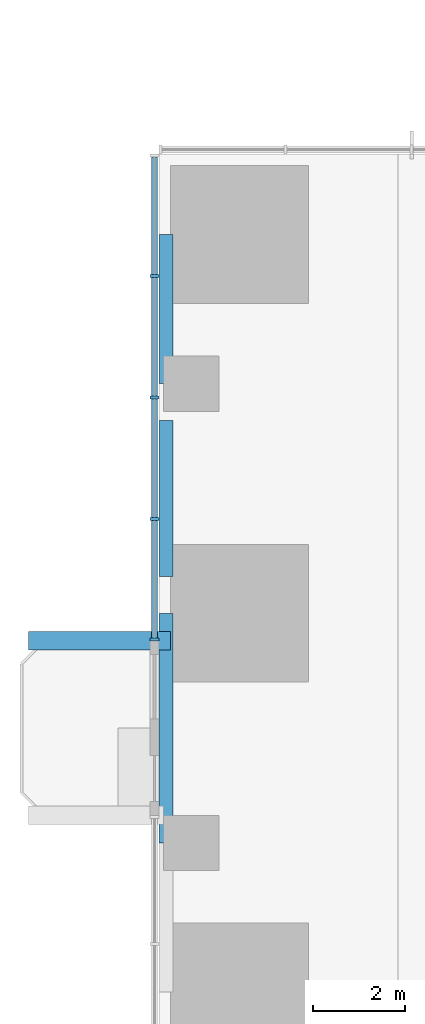
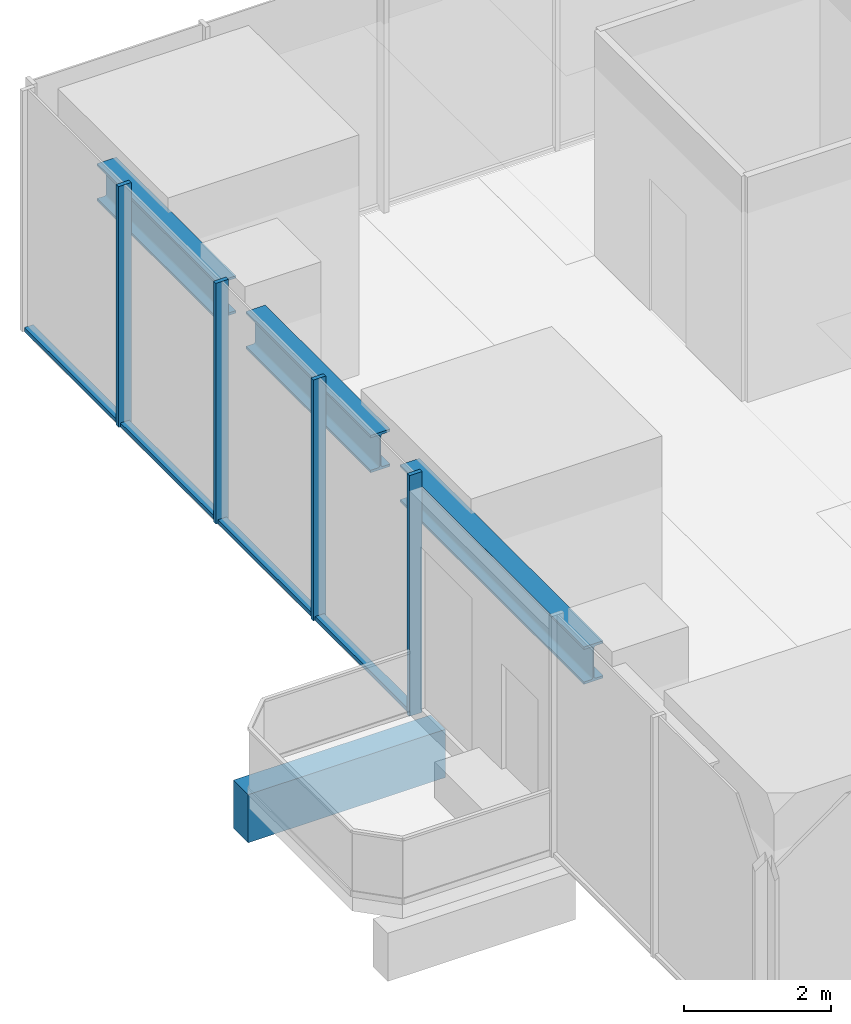
# One storey, part 3 of 13: 8 members, 4 beams, 1 element without a shape of its own.
"""IFC4 building model written with IfcOpenShell, lengths in metres."""

import ifcopenshell
import ifcopenshell.guid

model = None  # the IFC model being written
_history = None  # IfcOwnerHistory: only IFC2X3 demands one
_inside = {}  # id of a spatial element -> (the spatial element, [elements in it])
_under = {}  # id of a project, library or spatial element -> (it, [spatial elements below it])
_declared = {}  # id of a project -> (the project, [libraries it declares])
_typed = {}  # id of a type object -> (the type object, [elements of that type])
_made_of = {}  # id of a material, layer set ... -> (it, [elements and type objects made of it])


def new_model(schema):
    """Start an empty IFC model of exactly this schema.

    Asked for "IFC4X3", IfcOpenShell would pick the latest addendum, in which some entities
    have other attributes; the version numbers below select the first issue.
    IFC2X3 requires an IfcOwnerHistory on every rooted entity: one is made here for all.
    """
    global model, _history
    if schema == "IFC4X3":
        model = ifcopenshell.file(schema_version=(4, 3, 0, 0))
    else:
        model = ifcopenshell.file(schema=schema)
    _inside.clear()
    _under.clear()
    _declared.clear()
    _typed.clear()
    _made_of.clear()
    _history = None
    if model.schema == "IFC2X3":
        org = make("IfcOrganization", Name="unknown")
        user = make(
            "IfcPersonAndOrganization",
            ThePerson=make("IfcPerson", FamilyName="unknown"),
            TheOrganization=org,
        )
        app = make(
            "IfcApplication",
            ApplicationDeveloper=org,
            Version="unknown",
            ApplicationFullName="unknown",
            ApplicationIdentifier="unknown",
        )
        _history = make(
            "IfcOwnerHistory",
            OwningUser=user,
            OwningApplication=app,
            ChangeAction="ADDED",
            CreationDate=0,
        )
    return model


def make(cls, **values):
    """One entity of the class cls with the attributes given. An attribute that is None is left unset."""
    return model.create_entity(
        cls, **{name: value for name, value in values.items() if value is not None}
    )


def rooted(cls, **values):
    """An entity with a GlobalId (a new one), such as an element, a storey or a relation."""
    return make(cls, GlobalId=ifcopenshell.guid.new(), OwnerHistory=_history, **values)


def si_unit(unit_type, name, prefix=None):
    """IfcSIUnit, for example si_unit("LENGTHUNIT", "METRE", prefix="MILLI")."""
    return make("IfcSIUnit", UnitType=unit_type, Prefix=prefix, Name=name)


def assignment(units):
    """IfcUnitAssignment: the units of a project."""
    return None if units is None else make("IfcUnitAssignment", Units=units)


def point(xyz):
    """IfcCartesianPoint."""
    return None if xyz is None else make("IfcCartesianPoint", Coordinates=xyz)


def direction(xyz):
    """IfcDirection."""
    return None if xyz is None else make("IfcDirection", DirectionRatios=xyz)


def frame(location, z_axis=None, x_axis=None):
    """IfcAxis2Placement3D, a coordinate frame: its origin and axes. An axis left out is left unset."""
    return make(
        "IfcAxis2Placement3D",
        Location=point(location),
        Axis=direction(z_axis),
        RefDirection=direction(x_axis),
    )


def frame_2d(location, x_axis=None):
    """IfcAxis2Placement2D, a coordinate frame in the plane: its origin and x axis."""
    return make(
        "IfcAxis2Placement2D", Location=point(location), RefDirection=direction(x_axis)
    )


def origin():
    """The frame at (0, 0, 0) with its axes left unset."""
    return frame((0.0, 0.0, 0.0))


def origin_2d():
    """The frame at (0, 0) in the plane with its x axis left unset."""
    return frame_2d((0.0, 0.0))


def place(relative_to, where):
    """IfcLocalPlacement: puts the frame where relative to a parent placement (None: the world)."""
    return make(
        "IfcLocalPlacement", PlacementRelTo=relative_to, RelativePlacement=where
    )


def context(
    kind, dimensions, precision=None, world=None, true_north=None, identifier=None
):
    """IfcGeometricRepresentationContext, for example the 3D "Model" context."""
    return make(
        "IfcGeometricRepresentationContext",
        ContextIdentifier=identifier,
        ContextType=kind,
        CoordinateSpaceDimension=dimensions,
        Precision=precision,
        WorldCoordinateSystem=world,
        TrueNorth=true_north,
    )


def subcontext(parent, identifier, kind, view, scale=None):
    """IfcGeometricRepresentationSubContext, for example "Body" below "Model"."""
    return make(
        "IfcGeometricRepresentationSubContext",
        ContextIdentifier=identifier,
        ContextType=kind,
        ParentContext=parent,
        TargetScale=scale,
        TargetView=view,
    )


def project(units=None, contexts=None):
    """IfcProject with its units and contexts."""
    return rooted(
        "IfcProject",
        Name="project",
        RepresentationContexts=contexts,
        UnitsInContext=assignment(units),
    )


def spatial(cls, under=None, at=None, **own):
    """A site, building, storey or space (cls), placed at a placement, below another one or the project."""
    s = rooted(cls, ObjectPlacement=at, **own)
    if under is not None:
        _under.setdefault(under.id(), (under, []))[1].append(s)
    return s


def profile(cls, at=None, kind="AREA", **sizes):
    """A parametric profile (cls). Its sizes go by their IFC names, for example OverallWidth=200.0."""
    return make(cls, ProfileType=kind, Position=at, **sizes)


def rectangle(**sizes):
    """IfcRectangleProfileDef."""
    return profile("IfcRectangleProfileDef", **sizes)


def i_section(**sizes):
    """IfcIShapeProfileDef."""
    return profile("IfcIShapeProfileDef", **sizes)


def extrude(swept, where, along, depth):
    """IfcExtrudedAreaSolid: the profile swept, set in the frame where, extruded along a direction by depth."""
    return make(
        "IfcExtrudedAreaSolid",
        SweptArea=swept,
        Position=where,
        ExtrudedDirection=direction(along),
        Depth=depth,
    )


def shape(context_of_items, identifier, shape_type, items):
    """IfcShapeRepresentation: the items that make up one representation, for example the "Body"."""
    return make(
        "IfcShapeRepresentation",
        ContextOfItems=context_of_items,
        RepresentationIdentifier=identifier,
        RepresentationType=shape_type,
        Items=items,
    )


def material(Name=None, Category=None):
    """IfcMaterial."""
    return make("IfcMaterial", Name=Name, Category=Category)


def material_profile(
    of_material, cross_section, Name=None, Category=None, Priority=None
):
    """IfcMaterialProfile: a cross section and its material."""
    return make(
        "IfcMaterialProfile",
        Name=Name,
        Material=of_material,
        Profile=cross_section,
        Priority=Priority,
        Category=Category,
    )


def profile_set(profiles, Name=None, composite=None):
    """IfcMaterialProfileSet."""
    return make(
        "IfcMaterialProfileSet",
        Name=Name,
        MaterialProfiles=profiles,
        CompositeProfile=composite,
    )


def made_of(thing, what):
    """Note that an element or type object is made of a material, layer set ...; save() writes the relation."""
    if what is not None:
        _made_of.setdefault(what.id(), (what, []))[1].append(thing)
    return thing


def type_object(cls, material=None, **own):
    """A type object (cls), such as IfcWallType, which elements share."""
    return made_of(rooted(cls, **own), material)


def element(
    cls,
    number,
    at=None,
    inside=None,
    cuts=None,
    type_object=None,
    material=None,
    context=None,
    identifier="Body",
    shape_type=None,
    held_by="IfcProductDefinitionShape",
    body=None,
    shapes=None,
    **own,
):
    """One element of the class cls, such as IfcWall. Its Tag is "e" and its number.

    at: its placement. inside: the storey or other place that contains it. cuts: it is an
    opening in that element (IfcRelVoidsElement). A single representation is given by context,
    identifier, shape_type and body (its items); several are given by shapes. held_by: the class
    of the entity that holds the representations. save() writes the other relations.
    """
    e = rooted(cls, Tag="e%d" % number, ObjectPlacement=at, **own)
    if body is not None:
        shapes = [shape(context, identifier, shape_type, body)]
    if shapes is not None:
        e.Representation = make(held_by, Representations=shapes)
    if inside is not None:
        _inside.setdefault(inside.id(), (inside, []))[1].append(e)
    if cuts is not None:
        rooted(
            "IfcRelVoidsElement", RelatingBuildingElement=cuts, RelatedOpeningElement=e
        )
    if type_object is not None:
        _typed.setdefault(type_object.id(), (type_object, []))[1].append(e)
    return made_of(e, material)


def aggregate(whole, parts):
    """IfcRelAggregates: a whole, such as a stair, and the parts it consists of."""
    return rooted("IfcRelAggregates", RelatingObject=whole, RelatedObjects=parts)


def save(model, path):
    """Write the relations noted so far, then the file.

    IfcRelAggregates (storeys below a building ...), IfcRelContainedInSpatialStructure (elements
    in a storey), IfcRelDefinesByType, IfcRelAssociatesMaterial and IfcRelDeclares: one each for
    every whole, place, type object, material and project.
    """
    for whole, parts in _under.values():
        aggregate(whole, parts)
    for where, things in _inside.values():
        rooted(
            "IfcRelContainedInSpatialStructure",
            RelatedElements=things,
            RelatingStructure=where,
        )
    for kind, things in _typed.values():
        rooted("IfcRelDefinesByType", RelatedObjects=things, RelatingType=kind)
    for what, things in _made_of.values():
        rooted("IfcRelAssociatesMaterial", RelatedObjects=things, RelatingMaterial=what)
    for by, libraries in _declared.values():
        rooted("IfcRelDeclares", RelatingContext=by, RelatedDefinitions=libraries)
    model.write(path)


model = new_model("IFC4")

# Units and contexts
model_context = context("Model", 3, precision=1e-05, world=origin(), true_north=direction((0.0, 1.0)))
body_context = subcontext(model_context, "Body", "Model", "MODEL_VIEW")
ifc_project = project(units=[si_unit("LENGTHUNIT", "METRE"), si_unit("AREAUNIT", "SQUARE_METRE"), si_unit("VOLUMEUNIT", "CUBIC_METRE"), si_unit("PLANEANGLEUNIT", "RADIAN"), si_unit("MASSUNIT", "GRAM", prefix="KILO")], contexts=[model_context])

# Site, building, storey
site_placement = place(None, origin())
site = spatial("IfcSite", under=ifc_project, at=site_placement, CompositionType="ELEMENT")
building_placement = place(site_placement, origin())
building = spatial("IfcBuilding", under=site, at=building_placement, Name="Svetlomir Tower", CompositionType="ELEMENT")
storey_placement = place(building_placement, frame((0.0, 0.0, 120.5)))
storey = spatial("IfcBuildingStorey", under=building, at=storey_placement, Name="L28", CompositionType="ELEMENT", Elevation=120.5)

# Beam
ifc_material_1 = material(Name="Concrete C60/75", Category="concrete")
ifc_material_profile_1 = material_profile(ifc_material_1, rectangle(XDim=0.39990234375, YDim=0.800048828125, at=origin_2d()), Name="RC 400x800")
ifc_profile_set_1 = profile_set([ifc_material_profile_1], Name="Concrete C60/75")
beam_type_1 = type_object("IfcBeamType", Name="BALCONY RIB RC 400x800", PredefinedType="BEAM", material=ifc_profile_set_1)
beam_1_placement = place(storey_placement, frame((0.25, 20.39990234375, -0.64990234375), z_axis=(-1.0, 0.0, 0.0), x_axis=(0.0, -1.0, 0.0)))
element("IfcBeam", 1, at=beam_1_placement, inside=storey, type_object=beam_type_1, Name="Balcony rib W 2 L28", PredefinedType="BEAM", context=body_context, shape_type="SweptSolid", body=[
    extrude(rectangle(XDim=0.39990234375, YDim=0.800048828125, at=origin_2d()), origin(), (0.0, 0.0, 1.0), 3.10009765625),
])

# Curtain wall, members
ifc_material_2 = material(Name="Bronze anodised aluminium curtain wall", Category="aluminium")
curtain_wall_type = type_object("IfcCurtainWallType", Name="CURTAIN WALL CW1 TOWER OFFICE", PredefinedType="NOTDEFINED", material=ifc_material_2)
curtain_wall_placement = place(storey_placement, origin())
curtain_wall = element("IfcCurtainWall", 2, at=curtain_wall_placement, inside=storey, type_object=curtain_wall_type, Name="Curtain wall CW1 L28", PredefinedType="NOTDEFINED")
ifc_material_3 = material(Name="Bronze anodised aluminium", Category="aluminium")
ifc_material_profile_2 = material_profile(ifc_material_3, rectangle(XDim=0.06494140625, YDim=0.199951171875, at=origin_2d()), Name="AL 65x200")
ifc_profile_set_2 = profile_set([ifc_material_profile_2], Name="Bronze anodised aluminium 6063-T6")
member_type_1 = type_object("IfcMemberType", Name="CW1 MULLION 65x200", PredefinedType="MULLION", material=ifc_profile_set_2)
member_1_placement = place(storey_placement, frame((-0.10009765625, 28.35009765625, 0.0), z_axis=(0.0, 0.0, 1.0), x_axis=(0.0, -1.0, 0.0)))
member_1 = element("IfcMember", 3, at=member_1_placement, type_object=member_type_1, Name="CW1 mullion 2", PredefinedType="MULLION", context=body_context, shape_type="SweptSolid", body=[
    extrude(rectangle(XDim=0.06494140625, YDim=0.199951171875, at=origin_2d()), origin(), (0.0, 0.0, 1.0), 4.0),
])
member_2_placement = place(storey_placement, frame((-0.10009765625, 25.699951171875, 0.0), z_axis=(0.0, 0.0, 1.0), x_axis=(0.0, -1.0, 0.0)))
member_2 = element("IfcMember", 4, at=member_2_placement, type_object=member_type_1, Name="CW1 mullion 3", PredefinedType="MULLION", context=body_context, shape_type="SweptSolid", body=[
    extrude(rectangle(XDim=0.06494140625, YDim=0.199951171875, at=origin_2d()), origin(), (0.0, 0.0, 1.0), 4.0),
])
member_3_placement = place(storey_placement, frame((-0.10009765625, 23.050048828125, 0.0), z_axis=(0.0, 0.0, 1.0), x_axis=(0.0, -1.0, 0.0)))
member_3 = element("IfcMember", 5, at=member_3_placement, type_object=member_type_1, Name="CW1 mullion 4", PredefinedType="MULLION", context=body_context, shape_type="SweptSolid", body=[
    extrude(rectangle(XDim=0.06494140625, YDim=0.199951171875, at=origin_2d()), origin(), (0.0, 0.0, 1.0), 4.0),
])
member_4_placement = place(storey_placement, frame((-0.10009765625, 20.4326171875, 0.0), z_axis=(0.0, 0.0, 1.0), x_axis=(0.0, -1.0, 0.0)))
member_4 = element("IfcMember", 6, at=member_4_placement, type_object=member_type_1, Name="CW1 mullion 5", PredefinedType="MULLION", context=body_context, shape_type="SweptSolid", body=[
    extrude(rectangle(XDim=0.06494140625, YDim=0.199951171875, at=origin_2d()), origin(), (0.0, 0.0, 1.0), 4.0),
])
ifc_material_4 = material(Name="Bronze anodised aluminium", Category="aluminium")
ifc_material_profile_3 = material_profile(ifc_material_4, rectangle(XDim=0.139892578125, YDim=0.06494140625, at=origin_2d()), Name="AL 140x65")
ifc_profile_set_3 = profile_set([ifc_material_profile_3], Name="Bronze anodised aluminium 6063-T6")
member_type_2 = type_object("IfcMemberType", Name="CW1 TRANSOM 65x140", PredefinedType="USERDEFINED", material=ifc_profile_set_3)
member_5_placement = place(storey_placement, frame((-0.10009765625, 30.93505859375, 0.032470703125), z_axis=(0.0, -1.0, 0.0), x_axis=(1.0, 0.0, 0.0)))
member_5 = element("IfcMember", 7, at=member_5_placement, type_object=member_type_2, Name="CW1 transom 1.1", ObjectType="TRANSOM", PredefinedType="USERDEFINED", context=body_context, shape_type="SweptSolid", body=[
    extrude(rectangle(XDim=0.139892578125, YDim=0.06494140625, at=origin_2d()), origin(), (0.0, 0.0, 1.0), 2.552490234375),
])
member_6_placement = place(storey_placement, frame((-0.10009765625, 28.3173828125, 0.032470703125), z_axis=(0.0, -1.0, 0.0), x_axis=(1.0, 0.0, 0.0)))
member_6 = element("IfcMember", 8, at=member_6_placement, type_object=member_type_2, Name="CW1 transom 2.1", ObjectType="TRANSOM", PredefinedType="USERDEFINED", context=body_context, shape_type="SweptSolid", body=[
    extrude(rectangle(XDim=0.139892578125, YDim=0.06494140625, at=origin_2d()), origin(), (0.0, 0.0, 1.0), 2.5849609375),
])
member_7_placement = place(storey_placement, frame((-0.10009765625, 25.66748046875, 0.032470703125), z_axis=(0.0, -1.0, 0.0), x_axis=(1.0, 0.0, 0.0)))
member_7 = element("IfcMember", 9, at=member_7_placement, type_object=member_type_2, Name="CW1 transom 3.1", ObjectType="TRANSOM", PredefinedType="USERDEFINED", context=body_context, shape_type="SweptSolid", body=[
    extrude(rectangle(XDim=0.139892578125, YDim=0.06494140625, at=origin_2d()), origin(), (0.0, 0.0, 1.0), 2.5849609375),
])
member_8_placement = place(storey_placement, frame((-0.10009765625, 23.017578125, 0.032470703125), z_axis=(0.0, -1.0, 0.0), x_axis=(1.0, 0.0, 0.0)))
member_8 = element("IfcMember", 10, at=member_8_placement, type_object=member_type_2, Name="CW1 transom 4.1", ObjectType="TRANSOM", PredefinedType="USERDEFINED", context=body_context, shape_type="SweptSolid", body=[
    extrude(rectangle(XDim=0.139892578125, YDim=0.06494140625, at=origin_2d()), origin(), (0.0, 0.0, 1.0), 2.552490234375),
])
aggregate(curtain_wall, [member_1, member_2, member_3, member_4, member_5, member_6, member_7, member_8])

# Beams
ifc_material_5 = material(Name="Steel S355", Category="steel")
ifc_material_profile_4 = material_profile(ifc_material_5, i_section(OverallWidth=0.304931640625, OverallDepth=0.6201171875, WebThickness=0.02099609375, FlangeThickness=0.0400390625, FilletRadius=0.027099609375, at=origin_2d()), Name="HEM 600")
ifc_profile_set_4 = profile_set([ifc_material_profile_4], Name="Steel S355")
beam_type_2 = type_object("IfcBeamType", Name="EDGE BEAM HEM 600", PredefinedType="SPANDREL", material=ifc_profile_set_4)
beam_2_placement = place(storey_placement, frame((0.152587890625, 16.0, 3.43994140625), z_axis=(0.0, 1.0, 0.0), x_axis=(-1.0, 0.0, 0.0)))
element("IfcBeam", 11, at=beam_2_placement, inside=storey, type_object=beam_type_2, Name="Edge beam 0/16 to 0/21 under L29", PredefinedType="SPANDREL", context=body_context, shape_type="SweptSolid", body=[
    extrude(i_section(OverallWidth=0.304931640625, OverallDepth=0.6201171875, WebThickness=0.02099609375, FlangeThickness=0.0400390625, FilletRadius=0.027099609375, at=origin_2d()), origin(), (0.0, 0.0, 1.0), 5.0),
])
beam_3_placement = place(storey_placement, frame((0.152587890625, 21.800048828125, 3.43994140625), z_axis=(0.0, 1.0, 0.0), x_axis=(-1.0, 0.0, 0.0)))
element("IfcBeam", 12, at=beam_3_placement, inside=storey, type_object=beam_type_2, Name="Edge beam 0/21 to 0/26 under L29", PredefinedType="SPANDREL", context=body_context, shape_type="SweptSolid", body=[
    extrude(i_section(OverallWidth=0.304931640625, OverallDepth=0.6201171875, WebThickness=0.02099609375, FlangeThickness=0.0400390625, FilletRadius=0.027099609375, at=origin_2d()), origin(), (0.0, 0.0, 1.0), 3.39990234375),
])
beam_4_placement = place(storey_placement, frame((0.152587890625, 26.0, 3.43994140625), z_axis=(0.0, 1.0, 0.0), x_axis=(-1.0, 0.0, 0.0)))
element("IfcBeam", 13, at=beam_4_placement, inside=storey, type_object=beam_type_2, Name="Edge beam 0/26 to 0/31 under L29", PredefinedType="SPANDREL", context=body_context, shape_type="SweptSolid", body=[
    extrude(i_section(OverallWidth=0.304931640625, OverallDepth=0.6201171875, WebThickness=0.02099609375, FlangeThickness=0.0400390625, FilletRadius=0.027099609375, at=origin_2d()), origin(), (0.0, 0.0, 1.0), 3.25),
])

save(model, "model.ifc")
